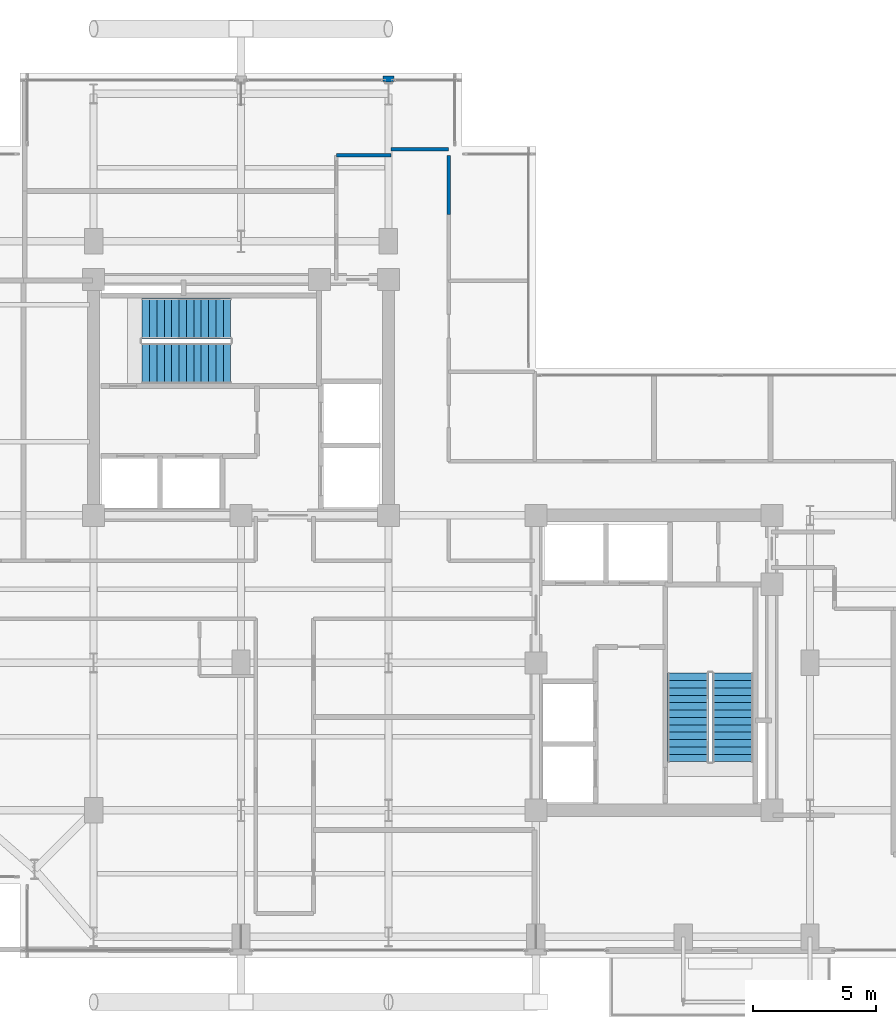
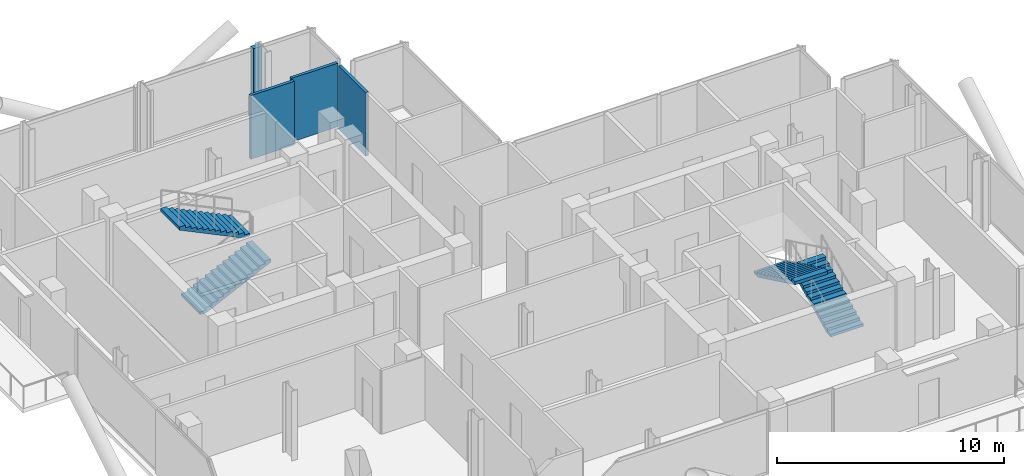
# One storey, part 22 of 25: 4 stair flights, 4 walls, 2 elements without a shape of their own.
"""IFC4 building model written with IfcOpenShell, lengths in metres."""

import ifcopenshell
import ifcopenshell.guid

model = None  # the IFC model being written
_history = None  # IfcOwnerHistory: only IFC2X3 demands one
_inside = {}  # id of a spatial element -> (the spatial element, [elements in it])
_under = {}  # id of a project, library or spatial element -> (it, [spatial elements below it])
_declared = {}  # id of a project -> (the project, [libraries it declares])
_typed = {}  # id of a type object -> (the type object, [elements of that type])
_made_of = {}  # id of a material, layer set ... -> (it, [elements and type objects made of it])


def new_model(schema):
    """Start an empty IFC model of exactly this schema.

    Asked for "IFC4X3", IfcOpenShell would pick the latest addendum, in which some entities
    have other attributes; the version numbers below select the first issue.
    IFC2X3 requires an IfcOwnerHistory on every rooted entity: one is made here for all.
    """
    global model, _history
    if schema == "IFC4X3":
        model = ifcopenshell.file(schema_version=(4, 3, 0, 0))
    else:
        model = ifcopenshell.file(schema=schema)
    _inside.clear()
    _under.clear()
    _declared.clear()
    _typed.clear()
    _made_of.clear()
    _history = None
    if model.schema == "IFC2X3":
        org = make("IfcOrganization", Name="unknown")
        user = make(
            "IfcPersonAndOrganization",
            ThePerson=make("IfcPerson", FamilyName="unknown"),
            TheOrganization=org,
        )
        app = make(
            "IfcApplication",
            ApplicationDeveloper=org,
            Version="unknown",
            ApplicationFullName="unknown",
            ApplicationIdentifier="unknown",
        )
        _history = make(
            "IfcOwnerHistory",
            OwningUser=user,
            OwningApplication=app,
            ChangeAction="ADDED",
            CreationDate=0,
        )
    return model


def make(cls, **values):
    """One entity of the class cls with the attributes given. An attribute that is None is left unset."""
    return model.create_entity(
        cls, **{name: value for name, value in values.items() if value is not None}
    )


def rooted(cls, **values):
    """An entity with a GlobalId (a new one), such as an element, a storey or a relation."""
    return make(cls, GlobalId=ifcopenshell.guid.new(), OwnerHistory=_history, **values)


def si_unit(unit_type, name, prefix=None):
    """IfcSIUnit, for example si_unit("LENGTHUNIT", "METRE", prefix="MILLI")."""
    return make("IfcSIUnit", UnitType=unit_type, Prefix=prefix, Name=name)


def assignment(units):
    """IfcUnitAssignment: the units of a project."""
    return None if units is None else make("IfcUnitAssignment", Units=units)


def point(xyz):
    """IfcCartesianPoint."""
    return None if xyz is None else make("IfcCartesianPoint", Coordinates=xyz)


def direction(xyz):
    """IfcDirection."""
    return None if xyz is None else make("IfcDirection", DirectionRatios=xyz)


def frame(location, z_axis=None, x_axis=None):
    """IfcAxis2Placement3D, a coordinate frame: its origin and axes. An axis left out is left unset."""
    return make(
        "IfcAxis2Placement3D",
        Location=point(location),
        Axis=direction(z_axis),
        RefDirection=direction(x_axis),
    )


def frame_2d(location, x_axis=None):
    """IfcAxis2Placement2D, a coordinate frame in the plane: its origin and x axis."""
    return make(
        "IfcAxis2Placement2D", Location=point(location), RefDirection=direction(x_axis)
    )


def origin():
    """The frame at (0, 0, 0) with its axes left unset."""
    return frame((0.0, 0.0, 0.0))


def place(relative_to, where):
    """IfcLocalPlacement: puts the frame where relative to a parent placement (None: the world)."""
    return make(
        "IfcLocalPlacement", PlacementRelTo=relative_to, RelativePlacement=where
    )


def context(
    kind, dimensions, precision=None, world=None, true_north=None, identifier=None
):
    """IfcGeometricRepresentationContext, for example the 3D "Model" context."""
    return make(
        "IfcGeometricRepresentationContext",
        ContextIdentifier=identifier,
        ContextType=kind,
        CoordinateSpaceDimension=dimensions,
        Precision=precision,
        WorldCoordinateSystem=world,
        TrueNorth=true_north,
    )


def subcontext(parent, identifier, kind, view, scale=None):
    """IfcGeometricRepresentationSubContext, for example "Body" below "Model"."""
    return make(
        "IfcGeometricRepresentationSubContext",
        ContextIdentifier=identifier,
        ContextType=kind,
        ParentContext=parent,
        TargetScale=scale,
        TargetView=view,
    )


def project(units=None, contexts=None):
    """IfcProject with its units and contexts."""
    return rooted(
        "IfcProject",
        Name="project",
        RepresentationContexts=contexts,
        UnitsInContext=assignment(units),
    )


def spatial(cls, under=None, at=None, **own):
    """A site, building, storey or space (cls), placed at a placement, below another one or the project."""
    s = rooted(cls, ObjectPlacement=at, **own)
    if under is not None:
        _under.setdefault(under.id(), (under, []))[1].append(s)
    return s


def polyline(points):
    """IfcPolyline through the points."""
    return make("IfcPolyline", Points=[point(p) for p in points])


def profile(cls, at=None, kind="AREA", **sizes):
    """A parametric profile (cls). Its sizes go by their IFC names, for example OverallWidth=200.0."""
    return make(cls, ProfileType=kind, Position=at, **sizes)


def rectangle(**sizes):
    """IfcRectangleProfileDef."""
    return profile("IfcRectangleProfileDef", **sizes)


def outline(outer, holes=None, kind="AREA"):
    """IfcArbitraryClosedProfileDef: a profile drawn as a closed curve; with holes, ...WithVoids."""
    if holes is None:
        return make("IfcArbitraryClosedProfileDef", ProfileType=kind, OuterCurve=outer)
    return make(
        "IfcArbitraryProfileDefWithVoids",
        ProfileType=kind,
        OuterCurve=outer,
        InnerCurves=holes,
    )


def extrude(swept, where, along, depth):
    """IfcExtrudedAreaSolid: the profile swept, set in the frame where, extruded along a direction by depth."""
    return make(
        "IfcExtrudedAreaSolid",
        SweptArea=swept,
        Position=where,
        ExtrudedDirection=direction(along),
        Depth=depth,
    )


def shape(context_of_items, identifier, shape_type, items):
    """IfcShapeRepresentation: the items that make up one representation, for example the "Body"."""
    return make(
        "IfcShapeRepresentation",
        ContextOfItems=context_of_items,
        RepresentationIdentifier=identifier,
        RepresentationType=shape_type,
        Items=items,
    )


def material(Name=None, Category=None):
    """IfcMaterial."""
    return make("IfcMaterial", Name=Name, Category=Category)


def layer(
    of_material, thickness, ventilated=None, Name=None, Category=None, Priority=None
):
    """IfcMaterialLayer: one layer of a wall or slab, of a material (None: an air gap)."""
    return make(
        "IfcMaterialLayer",
        Material=of_material,
        LayerThickness=thickness,
        IsVentilated=ventilated,
        Name=Name,
        Category=Category,
        Priority=Priority,
    )


def layer_set(layers, Name=None):
    """IfcMaterialLayerSet."""
    return make("IfcMaterialLayerSet", MaterialLayers=layers, LayerSetName=Name)


def made_of(thing, what):
    """Note that an element or type object is made of a material, layer set ...; save() writes the relation."""
    if what is not None:
        _made_of.setdefault(what.id(), (what, []))[1].append(thing)
    return thing


def type_object(cls, material=None, **own):
    """A type object (cls), such as IfcWallType, which elements share."""
    return made_of(rooted(cls, **own), material)


def element(
    cls,
    number,
    at=None,
    inside=None,
    cuts=None,
    type_object=None,
    material=None,
    context=None,
    identifier="Body",
    shape_type=None,
    held_by="IfcProductDefinitionShape",
    body=None,
    shapes=None,
    **own,
):
    """One element of the class cls, such as IfcWall. Its Tag is "e" and its number.

    at: its placement. inside: the storey or other place that contains it. cuts: it is an
    opening in that element (IfcRelVoidsElement). A single representation is given by context,
    identifier, shape_type and body (its items); several are given by shapes. held_by: the class
    of the entity that holds the representations. save() writes the other relations.
    """
    e = rooted(cls, Tag="e%d" % number, ObjectPlacement=at, **own)
    if body is not None:
        shapes = [shape(context, identifier, shape_type, body)]
    if shapes is not None:
        e.Representation = make(held_by, Representations=shapes)
    if inside is not None:
        _inside.setdefault(inside.id(), (inside, []))[1].append(e)
    if cuts is not None:
        rooted(
            "IfcRelVoidsElement", RelatingBuildingElement=cuts, RelatedOpeningElement=e
        )
    if type_object is not None:
        _typed.setdefault(type_object.id(), (type_object, []))[1].append(e)
    return made_of(e, material)


def aggregate(whole, parts):
    """IfcRelAggregates: a whole, such as a stair, and the parts it consists of."""
    return rooted("IfcRelAggregates", RelatingObject=whole, RelatedObjects=parts)


def save(model, path):
    """Write the relations noted so far, then the file.

    IfcRelAggregates (storeys below a building ...), IfcRelContainedInSpatialStructure (elements
    in a storey), IfcRelDefinesByType, IfcRelAssociatesMaterial and IfcRelDeclares: one each for
    every whole, place, type object, material and project.
    """
    for whole, parts in _under.values():
        aggregate(whole, parts)
    for where, things in _inside.values():
        rooted(
            "IfcRelContainedInSpatialStructure",
            RelatedElements=things,
            RelatingStructure=where,
        )
    for kind, things in _typed.values():
        rooted("IfcRelDefinesByType", RelatedObjects=things, RelatingType=kind)
    for what, things in _made_of.values():
        rooted("IfcRelAssociatesMaterial", RelatedObjects=things, RelatingMaterial=what)
    for by, libraries in _declared.values():
        rooted("IfcRelDeclares", RelatingContext=by, RelatedDefinitions=libraries)
    model.write(path)


model = new_model("IFC4")

# Units and contexts
model_context = context("Model", 3, precision=1e-05, world=origin(), true_north=direction((0.0, 1.0)))
body_context = subcontext(model_context, "Body", "Model", "MODEL_VIEW")
ifc_project = project(units=[si_unit("LENGTHUNIT", "METRE"), si_unit("AREAUNIT", "SQUARE_METRE"), si_unit("VOLUMEUNIT", "CUBIC_METRE"), si_unit("PLANEANGLEUNIT", "RADIAN"), si_unit("MASSUNIT", "GRAM", prefix="KILO"), si_unit("THERMODYNAMICTEMPERATUREUNIT", "KELVIN"), si_unit("POWERUNIT", "WATT")], contexts=[model_context])

# Site, building, storey
site_placement = place(None, origin())
site = spatial("IfcSite", under=ifc_project, at=site_placement, CompositionType="ELEMENT")
building_placement = place(site_placement, origin())
building = spatial("IfcBuilding", under=site, at=building_placement, Name="Svarakhadi Broadcast Tower", CompositionType="ELEMENT")
storey_placement = place(building_placement, frame((0.0, 0.0, 231.14990234375)))
storey = spatial("IfcBuildingStorey", under=building, at=storey_placement, Name="L57", CompositionType="ELEMENT", Elevation=231.14990234375)

# Walls
ifc_material_1 = material(Name="Concrete C40/50 (IS 456 M50)", Category="concrete")
ifc_layer_1 = layer(ifc_material_1, 0.239990234375)
ifc_layer_set_1 = layer_set([ifc_layer_1], Name="Concrete C40/50 (IS 456 M50)")
wall_type_1 = type_object("IfcWallType", Name="Wall_Ext_240", PredefinedType="SOLIDWALL", material=ifc_layer_set_1)
wall_1_placement = place(storey_placement, frame((17.784912109375, 35.760009765625, 0.0), z_axis=(0.0, 0.0, 1.0), x_axis=(1.0, 0.0, 0.0)))
element("IfcWall", 1, at=wall_1_placement, inside=storey, type_object=wall_type_1, Name="L57 Perimeter Bronze Spandrel Closure Wall 02", PredefinedType="SOLIDWALL", context=body_context, shape_type="SweptSolid", body=[
    extrude(rectangle(XDim=0.43017578125, YDim=0.239990234375, at=frame_2d((0.215087890625, 0.0))), origin(), (0.0, 0.0, 1.0), 3.425048828125),
])
ifc_material_2 = material(Name="Autoclaved Aerated Concrete Blockwork 150 mm", Category="masonry")
ifc_layer_2 = layer(ifc_material_2, 0.14990234375)
ifc_layer_set_2 = layer_set([ifc_layer_2], Name="Autoclaved Aerated Concrete Blockwork 150 mm")
wall_type_2 = type_object("IfcWallType", Name="Wall_Part_150", PredefinedType="PARTITIONING", material=ifc_layer_set_2)
wall_2_placement = place(storey_placement, frame((15.8798828125, 32.64990234375, 0.0), z_axis=(0.0, 0.0, 1.0), x_axis=(1.0, 0.0, 0.0)))
element("IfcWall", 2, at=wall_2_placement, inside=storey, type_object=wall_type_2, Name="L57 Upper Tower Concourse Wall", PredefinedType="PARTITIONING", context=body_context, shape_type="SweptSolid", body=[
    extrude(rectangle(XDim=2.22021484375, YDim=0.14990234375, at=frame_2d((1.110107421875, 0.0))), origin(), (0.0, 0.0, 1.0), 3.425048828125),
])
wall_3_placement = place(storey_placement, frame((18.10009765625, 32.89990234375, 0.0), z_axis=(0.0, 0.0, 1.0), x_axis=(1.0, 0.0, 0.0)))
element("IfcWall", 3, at=wall_3_placement, inside=storey, type_object=wall_type_2, Name="L57 Upper Tower Concourse Wall", PredefinedType="PARTITIONING", context=body_context, shape_type="SweptSolid", body=[
    extrude(rectangle(XDim=2.349853515625, YDim=0.14990234375, at=frame_2d((1.1748046875, 0.0))), origin(), (0.0, 0.0, 1.0), 3.425048828125),
])
wall_4_placement = place(storey_placement, frame((20.449951171875, 32.64990234375, 0.0), z_axis=(0.0, 0.0, 1.0), x_axis=(0.0, -1.0, 0.0)))
element("IfcWall", 4, at=wall_4_placement, inside=storey, type_object=wall_type_2, Name="L57 Upper Tower Concourse Wall", PredefinedType="PARTITIONING", context=body_context, shape_type="SweptSolid", body=[
    extrude(rectangle(XDim=2.39990234375, YDim=0.14990234375, at=frame_2d((1.199951171875, 0.0))), origin(), (0.0, 0.0, 1.0), 3.425048828125),
])

# Stair, stair flights
stair_type = type_object("IfcStairType", Name="Stair_Exit_Core", PredefinedType="HALF_TURN_STAIR", material=ifc_material_1)
stair_1_placement = place(storey_placement, origin())
stair_1 = element("IfcStair", 5, at=stair_1_placement, inside=storey, type_object=stair_type, Name="L57 West Core Protected Exit Stair ST-01", PredefinedType="HALF_TURN_STAIR")
stair_flight_type = type_object("IfcStairFlightType", Name="Flight_RC_1680", PredefinedType="STRAIGHT", material=ifc_material_1)
stair_flight_1_placement = place(storey_placement, frame((7.97998046875, 24.18994140625, 0.0), z_axis=(0.0, 0.0, 1.0), x_axis=(1.0, 0.0, 0.0)))
stair_flight_1 = element("IfcStairFlight", 6, at=stair_flight_1_placement, type_object=stair_flight_type, Name="ST-01 flight 1", NumberOfRisers=13, NumberOfTreads=12, PredefinedType="STRAIGHT", RiserHeight=0.144230769, TreadLength=0.3, context=body_context, shape_type="SweptSolid", body=[
    extrude(outline(polyline([(0.0, 0.0), (0.0, 0.144287109375), (0.300048828125, 0.144287109375), (0.300048828125, 0.28857421875), (0.60009765625, 0.28857421875), (0.60009765625, 0.4326171875), (0.89990234375, 0.4326171875), (0.89990234375, 0.576904296875), (1.199951171875, 0.576904296875), (1.199951171875, 0.72119140625), (1.5, 0.72119140625), (1.5, 0.865478515625), (1.800048828125, 0.865478515625), (1.800048828125, 1.009521484375), (2.10009765625, 1.009521484375), (2.10009765625, 1.15380859375), (2.39990234375, 1.15380859375), (2.39990234375, 1.298095703125), (2.699951171875, 1.298095703125), (2.699951171875, 1.4423828125), (3.0, 1.4423828125), (3.0, 1.58642578125), (3.300048828125, 1.58642578125), (3.300048828125, 1.730712890625), (3.60009765625, 1.730712890625), (3.60009765625, 1.875), (3.60009765625, 1.564453125), (0.345947265625, 0.0), (0.0, 0.0)])), frame((0.0, 0.830078125, 0.0), z_axis=(0.0, -1.0, 0.0), x_axis=(1.0, 0.0, 0.0)), (0.0, 0.0, 1.0), 1.659912109375),
])
stair_flight_2_placement = place(storey_placement, frame((11.580078125, 26.010009765625, 1.875), z_axis=(0.0, 0.0, 1.0), x_axis=(-1.0, 0.0, 0.0)))
stair_flight_2 = element("IfcStairFlight", 7, at=stair_flight_2_placement, type_object=stair_flight_type, Name="ST-01 flight 2", NumberOfRisers=13, NumberOfTreads=12, PredefinedType="STRAIGHT", RiserHeight=0.144230769, TreadLength=0.3, context=body_context, shape_type="SweptSolid", body=[
    extrude(outline(polyline([(0.0, 0.0), (0.0, 0.144287109375), (0.300048828125, 0.144287109375), (0.300048828125, 0.28857421875), (0.60009765625, 0.28857421875), (0.60009765625, 0.4326171875), (0.89990234375, 0.4326171875), (0.89990234375, 0.576904296875), (1.199951171875, 0.576904296875), (1.199951171875, 0.72119140625), (1.5, 0.72119140625), (1.5, 0.865478515625), (1.800048828125, 0.865478515625), (1.800048828125, 1.009521484375), (2.10009765625, 1.009521484375), (2.10009765625, 1.15380859375), (2.39990234375, 1.15380859375), (2.39990234375, 1.298095703125), (2.699951171875, 1.298095703125), (2.699951171875, 1.4423828125), (3.0, 1.4423828125), (3.0, 1.58642578125), (3.300048828125, 1.58642578125), (3.300048828125, 1.730712890625), (3.60009765625, 1.730712890625), (3.60009765625, 1.875), (3.60009765625, 1.564453125), (0.345947265625, 0.0), (0.0, 0.0)])), frame((0.0, 0.830078125, 0.0), z_axis=(0.0, -1.0, 0.0), x_axis=(1.0, 0.0, 0.0)), (0.0, 0.0, 1.0), 1.659912109375),
])
aggregate(stair_1, [stair_flight_1, stair_flight_2])

stair_2_placement = place(storey_placement, origin())
stair_2 = element("IfcStair", 8, at=stair_2_placement, inside=storey, type_object=stair_type, Name="L57 East Core Protected Exit Stair ST-02", PredefinedType="HALF_TURN_STAIR")
stair_flight_3_placement = place(storey_placement, frame((32.010009765625, 7.97998046875, 0.0), z_axis=(0.0, 0.0, 1.0), x_axis=(0.0, 1.0, 0.0)))
stair_flight_3 = element("IfcStairFlight", 9, at=stair_flight_3_placement, type_object=stair_flight_type, Name="ST-02 flight 1", NumberOfRisers=13, NumberOfTreads=12, PredefinedType="STRAIGHT", RiserHeight=0.144230769, TreadLength=0.3, context=body_context, shape_type="SweptSolid", body=[
    extrude(outline(polyline([(0.0, 0.0), (0.0, 0.144287109375), (0.300048828125, 0.144287109375), (0.300048828125, 0.28857421875), (0.60009765625, 0.28857421875), (0.60009765625, 0.4326171875), (0.89990234375, 0.4326171875), (0.89990234375, 0.576904296875), (1.199951171875, 0.576904296875), (1.199951171875, 0.72119140625), (1.5, 0.72119140625), (1.5, 0.865478515625), (1.800048828125, 0.865478515625), (1.800048828125, 1.009521484375), (2.10009765625, 1.009521484375), (2.10009765625, 1.15380859375), (2.39990234375, 1.15380859375), (2.39990234375, 1.298095703125), (2.699951171875, 1.298095703125), (2.699951171875, 1.4423828125), (3.0, 1.4423828125), (3.0, 1.58642578125), (3.300048828125, 1.58642578125), (3.300048828125, 1.730712890625), (3.60009765625, 1.730712890625), (3.60009765625, 1.875), (3.60009765625, 1.564453125), (0.345947265625, 0.0), (0.0, 0.0)])), frame((0.0, 0.830078125, 0.0), z_axis=(0.0, -1.0, 0.0), x_axis=(1.0, 0.0, 0.0)), (0.0, 0.0, 1.0), 1.659912109375),
])
stair_flight_4_placement = place(storey_placement, frame((30.18994140625, 11.580078125, 1.875), z_axis=(0.0, 0.0, 1.0), x_axis=(0.0, -1.0, 0.0)))
stair_flight_4 = element("IfcStairFlight", 10, at=stair_flight_4_placement, type_object=stair_flight_type, Name="ST-02 flight 2", NumberOfRisers=13, NumberOfTreads=12, PredefinedType="STRAIGHT", RiserHeight=0.144230769, TreadLength=0.3, context=body_context, shape_type="SweptSolid", body=[
    extrude(outline(polyline([(0.0, 0.0), (0.0, 0.144287109375), (0.300048828125, 0.144287109375), (0.300048828125, 0.28857421875), (0.60009765625, 0.28857421875), (0.60009765625, 0.4326171875), (0.89990234375, 0.4326171875), (0.89990234375, 0.576904296875), (1.199951171875, 0.576904296875), (1.199951171875, 0.72119140625), (1.5, 0.72119140625), (1.5, 0.865478515625), (1.800048828125, 0.865478515625), (1.800048828125, 1.009521484375), (2.10009765625, 1.009521484375), (2.10009765625, 1.15380859375), (2.39990234375, 1.15380859375), (2.39990234375, 1.298095703125), (2.699951171875, 1.298095703125), (2.699951171875, 1.4423828125), (3.0, 1.4423828125), (3.0, 1.58642578125), (3.300048828125, 1.58642578125), (3.300048828125, 1.730712890625), (3.60009765625, 1.730712890625), (3.60009765625, 1.875), (3.60009765625, 1.564453125), (0.345947265625, 0.0), (0.0, 0.0)])), frame((0.0, 0.830078125, 0.0), z_axis=(0.0, -1.0, 0.0), x_axis=(1.0, 0.0, 0.0)), (0.0, 0.0, 1.0), 1.659912109375),
])
aggregate(stair_2, [stair_flight_3, stair_flight_4])

save(model, "model.ifc")
